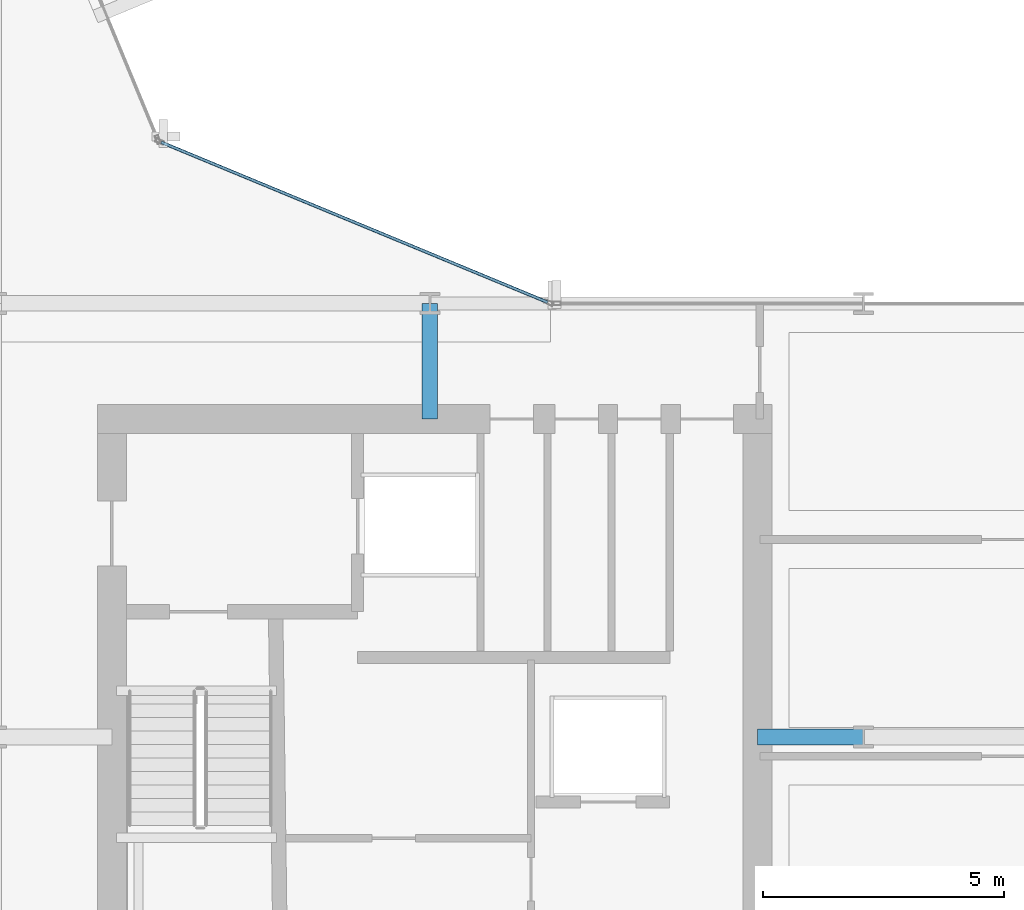
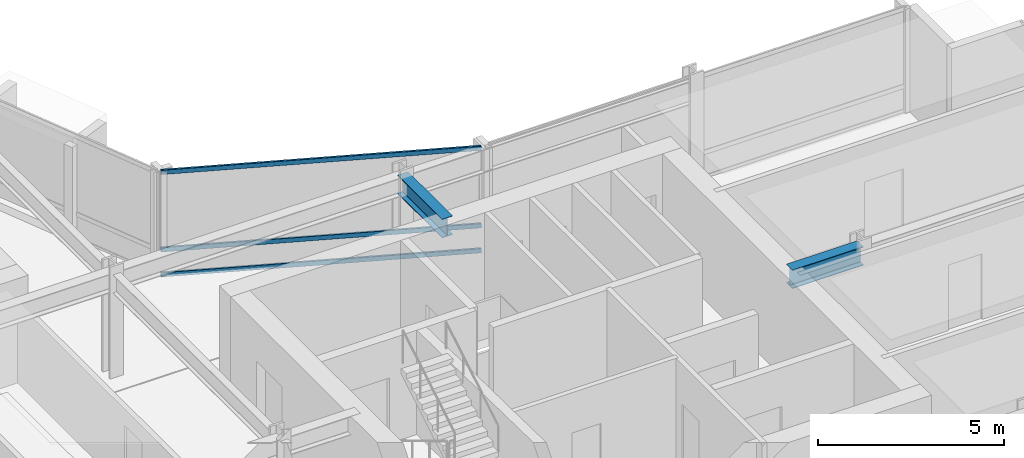
# One storey, part 12 of 29: 3 members, 2 beams, 1 element without a shape of its own.
"""IFC4 building model written with IfcOpenShell, lengths in metres."""

from ifc_helpers import new_model, si_unit, direction, frame, origin, origin_2d, place, context, subcontext, project, spatial, hollow_rectangle, i_section, extrude, material, layer, layer_set, material_profile, profile_set, type_object, element, aggregate, save


model = new_model("IFC4")

# Units and contexts
model_context = context("Model", 3, precision=1e-05, world=origin(), true_north=direction((0.0, 1.0)))
body_context = subcontext(model_context, "Body", "Model", "MODEL_VIEW")
ifc_project = project(units=[si_unit("LENGTHUNIT", "METRE"), si_unit("AREAUNIT", "SQUARE_METRE"), si_unit("VOLUMEUNIT", "CUBIC_METRE"), si_unit("PLANEANGLEUNIT", "RADIAN"), si_unit("MASSUNIT", "GRAM", prefix="KILO")], contexts=[model_context])

# Site, building, storey
site_placement = place(None, origin())
site = spatial("IfcSite", under=ifc_project, at=site_placement, CompositionType="ELEMENT")
building_placement = place(site_placement, origin())
building = spatial("IfcBuilding", under=site, at=building_placement, Name="Solvaryn Broadcast Tower", CompositionType="ELEMENT")
storey_placement = place(building_placement, frame((0.0, 0.0, 121.10009765625)))
storey = spatial("IfcBuildingStorey", under=building, at=storey_placement, Name="L29", CompositionType="ELEMENT", Elevation=121.10009765625)

# Beams
ifc_material_1 = material(Name="Steel ASTM A992 Grade 50", Category="steel")
ifc_material_profile_1 = material_profile(ifc_material_1, i_section(OverallWidth=0.323974609375, OverallDepth=0.611083984375, WebThickness=0.0126953125, FlangeThickness=0.01904296875, FilletRadius=0.014892578125, at=origin_2d()))
ifc_profile_set_1 = profile_set([ifc_material_profile_1], Name="Steel ASTM A992 Grade 50")
beam_type = type_object("IfcBeamType", Name="BM-B1-W24X104", PredefinedType="BEAM", material=ifc_profile_set_1)
beam_1_placement = place(storey_placement, frame((36.0, 24.60009765625, 3.114501953125), z_axis=(0.0, 1.0, 0.0), x_axis=(-1.0, 0.0, 0.0)))
element("IfcBeam", 1, at=beam_1_placement, inside=storey, type_object=beam_type, Name="L29 Core Tie Beam CTE2", PredefinedType="BEAM", context=body_context, shape_type="SweptSolid", body=[
    extrude(i_section(OverallWidth=0.323974609375, OverallDepth=0.611083984375, WebThickness=0.0126953125, FlangeThickness=0.01904296875, FilletRadius=0.014892578125, at=origin_2d()), origin(), (0.0, 0.0, 1.0), 2.39990234375),
])
beam_2_placement = place(storey_placement, frame((42.800048828125, 18.0, 3.114501953125), z_axis=(1.0, 0.0, 0.0), x_axis=(0.0, 1.0, 0.0)))
element("IfcBeam", 2, at=beam_2_placement, inside=storey, type_object=beam_type, Name="L29 Core Tie Beam CTE3", PredefinedType="BEAM", context=body_context, shape_type="SweptSolid", body=[
    extrude(i_section(OverallWidth=0.323974609375, OverallDepth=0.611083984375, WebThickness=0.0126953125, FlangeThickness=0.01904296875, FilletRadius=0.014892578125, at=origin_2d()), origin(), (0.0, 0.0, 1.0), 2.199951171875),
])

# Curtain wall, members
ifc_material_2 = material(Name="Aluminium and Terracotta Unitised Curtain Wall", Category="masonry")
ifc_layer = layer(ifc_material_2, 0.199951171875)
ifc_layer_set = layer_set([ifc_layer], Name="CW-SYS2-LOWMID")
curtain_wall_type = type_object("IfcCurtainWallType", Name="CW-SYS2-LOWMID", PredefinedType="NOTDEFINED", material=ifc_layer_set)
curtain_wall_placement = place(storey_placement, origin())
curtain_wall = element("IfcCurtainWall", 3, at=curtain_wall_placement, inside=storey, type_object=curtain_wall_type, Name="L29 Curtain Wall CN1", PredefinedType="NOTDEFINED")
ifc_material_3 = material(Name="Anodised Aluminium 6063-T6", Category="aluminium")
ifc_material_profile_2 = material_profile(ifc_material_3, hollow_rectangle(XDim=0.06494140625, YDim=0.14990234375, WallThickness=0.00390625, InnerFilletRadius=0.00390625, OuterFilletRadius=0.008056640625, at=origin_2d()))
ifc_profile_set_2 = profile_set([ifc_material_profile_2], Name="Anodised Aluminium 6063-T6")
member_type = type_object("IfcMemberType", Name="CW-TRN-150", PredefinedType="USERDEFINED", material=ifc_profile_set_2)
member_1_placement = place(storey_placement, frame((38.444580078125, 27.02294921875, 0.02978515625), z_axis=(-0.923899282177, 0.382635748975, 0.0), x_axis=(-0.382635748975, -0.923899282177, 0.0)))
member_1 = element("IfcMember", 4, at=member_1_placement, type_object=member_type, Name="CWS2 transom 1.1", ObjectType="TRANSOM", PredefinedType="USERDEFINED", context=body_context, shape_type="SweptSolid", body=[
    extrude(hollow_rectangle(XDim=0.06494140625, YDim=0.14990234375, WallThickness=0.00390625, InnerFilletRadius=0.00390625, OuterFilletRadius=0.008056640625, at=origin_2d()), origin(), (0.0, 0.0, 1.0), 8.681884765625),
])
member_2_placement = place(storey_placement, frame((38.444580078125, 27.02294921875, 0.849853515625), z_axis=(-0.923899282177, 0.382635748975, 0.0), x_axis=(-0.382635748975, -0.923899282177, 0.0)))
member_2 = element("IfcMember", 5, at=member_2_placement, type_object=member_type, Name="CWS2 transom 1.2", ObjectType="TRANSOM", PredefinedType="USERDEFINED", context=body_context, shape_type="SweptSolid", body=[
    extrude(hollow_rectangle(XDim=0.06494140625, YDim=0.14990234375, WallThickness=0.00390625, InnerFilletRadius=0.00390625, OuterFilletRadius=0.008056640625, at=origin_2d()), origin(), (0.0, 0.0, 1.0), 8.681884765625),
])
member_3_placement = place(storey_placement, frame((38.444580078125, 27.02294921875, 3.389892578125), z_axis=(-0.923899282177, 0.382635748975, 0.0), x_axis=(-0.382635748975, -0.923899282177, 0.0)))
member_3 = element("IfcMember", 6, at=member_3_placement, type_object=member_type, Name="CWS2 transom 1.3", ObjectType="TRANSOM", PredefinedType="USERDEFINED", context=body_context, shape_type="SweptSolid", body=[
    extrude(hollow_rectangle(XDim=0.06494140625, YDim=0.14990234375, WallThickness=0.00390625, InnerFilletRadius=0.00390625, OuterFilletRadius=0.008056640625, at=origin_2d()), origin(), (0.0, 0.0, 1.0), 8.681884765625),
])
aggregate(curtain_wall, [member_1, member_2, member_3])

save(model, "model.ifc")
